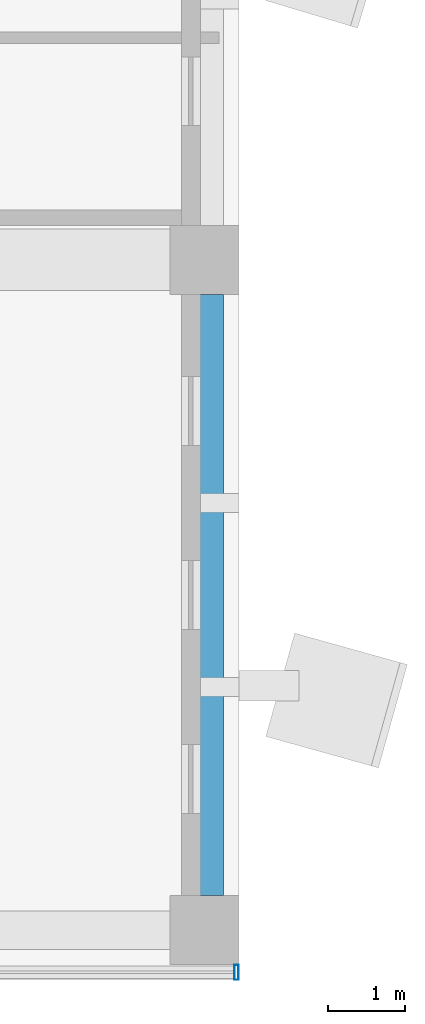
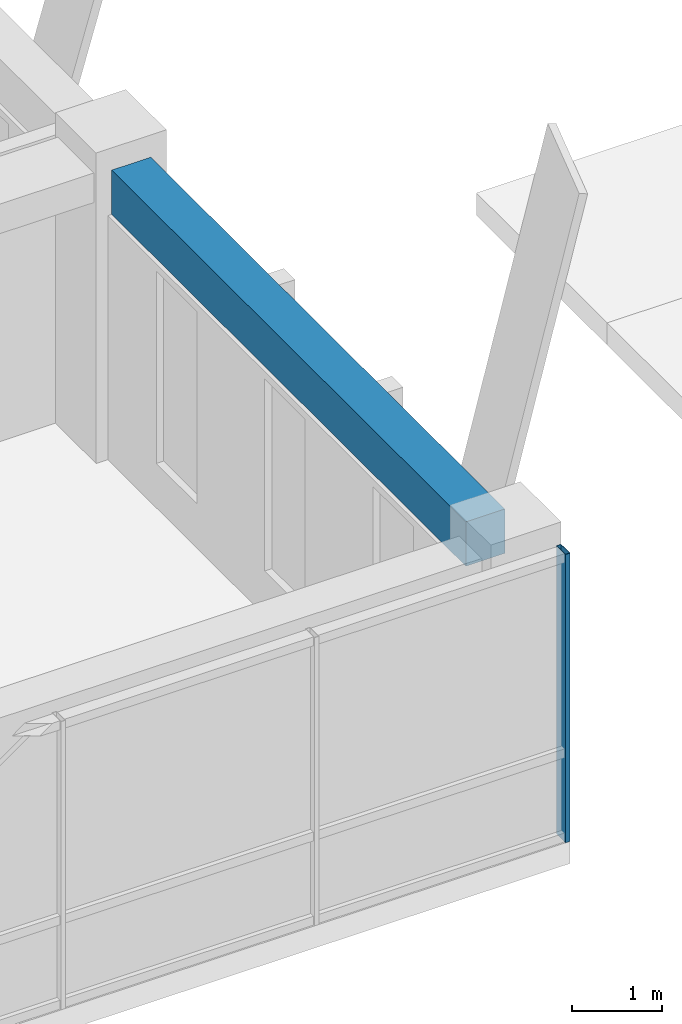
# One storey, part 14 of 36: 1 beam, 1 member, 1 element without a shape of its own.
"""IFC4 building model written with IfcOpenShell, lengths in metres."""

from ifc_helpers import new_model, si_unit, direction, frame, origin, origin_2d, place, context, subcontext, project, spatial, rectangle, hollow_rectangle, extrude, material, layer, layer_set, material_profile, profile_set, type_object, element, aggregate, save


model = new_model("IFC4")

# Units and contexts
model_context = context("Model", 3, precision=1e-05, world=origin(), true_north=direction((0.0, 1.0)))
body_context = subcontext(model_context, "Body", "Model", "MODEL_VIEW")
ifc_project = project(units=[si_unit("LENGTHUNIT", "METRE"), si_unit("AREAUNIT", "SQUARE_METRE"), si_unit("VOLUMEUNIT", "CUBIC_METRE"), si_unit("PLANEANGLEUNIT", "RADIAN"), si_unit("MASSUNIT", "GRAM", prefix="KILO")], contexts=[model_context])

# Site, building, storey
site_placement = place(None, origin())
site = spatial("IfcSite", under=ifc_project, at=site_placement, CompositionType="ELEMENT")
building_placement = place(site_placement, origin())
building = spatial("IfcBuilding", under=site, at=building_placement, Name="Nzadi Deep Aquarium and Research Tower", CompositionType="ELEMENT")
storey_placement = place(building_placement, frame((0.0, 0.0, 36.10009765625)))
storey = spatial("IfcBuildingStorey", under=building, at=storey_placement, Name="L06", CompositionType="ELEMENT", Elevation=36.10009765625)

# Curtain wall, member
ifc_material_1 = material(Name="Aluminium unitised frame", Category="aluminium")
ifc_layer = layer(ifc_material_1, 0.199951171875)
ifc_layer_set = layer_set([ifc_layer], Name="Aluminium unitised frame")
curtain_wall_type = type_object("IfcCurtainWallType", Name="Curtain wall Unitised 200", PredefinedType="NOTDEFINED", material=ifc_layer_set)
curtain_wall_placement = place(storey_placement, origin())
curtain_wall = element("IfcCurtainWall", 1, at=curtain_wall_placement, inside=storey, type_object=curtain_wall_type, Name="Unitised curtain wall blade A south L06", PredefinedType="NOTDEFINED")
ifc_material_2 = material(Name="Aluminium unitised frame", Category="aluminium")
ifc_material_profile_1 = material_profile(ifc_material_2, hollow_rectangle(XDim=0.199951171875, YDim=0.06005859375, WallThickness=0.0048828125, at=origin_2d()))
ifc_profile_set_1 = profile_set([ifc_material_profile_1], Name="Aluminium unitised frame")
member_type = type_object("IfcMemberType", Name="Mullion 60x200 Unitised", PredefinedType="MULLION", material=ifc_profile_set_1)
member_placement = place(storey_placement, frame((48.419921875, -0.10009765625, 0.0), z_axis=(0.0, 0.0, 1.0), x_axis=(0.0, 1.0, 0.0)))
member = element("IfcMember", 2, at=member_placement, type_object=member_type, Name="CW008 mullion 16", PredefinedType="MULLION", context=body_context, shape_type="SweptSolid", body=[
    extrude(hollow_rectangle(XDim=0.199951171875, YDim=0.06005859375, WallThickness=0.0048828125, at=origin_2d()), origin(), (0.0, 0.0, 1.0), 3.89990234375),
])
aggregate(curtain_wall, [member])

# Beam
ifc_material_3 = material(Name="Concrete C35/45", Category="concrete")
ifc_material_profile_2 = material_profile(ifc_material_3, rectangle(XDim=0.5, YDim=0.60009765625, at=origin_2d()))
ifc_profile_set_2 = profile_set([ifc_material_profile_2], Name="Concrete C35/45")
beam_type = type_object("IfcBeamType", Name="RC 500x600", PredefinedType="BEAM", material=ifc_profile_set_2)
beam_placement = place(storey_placement, frame((48.0, 0.89990234375, 3.599853515625), z_axis=(0.0, 1.0, 0.0), x_axis=(-1.0, 0.0, 0.0)))
element("IfcBeam", 3, at=beam_placement, inside=storey, type_object=beam_type, Name="B-Z1-L06-CF-1-1", PredefinedType="BEAM", context=body_context, shape_type="SweptSolid", body=[
    extrude(rectangle(XDim=0.5, YDim=0.60009765625, at=origin_2d()), origin(), (0.0, 0.0, 1.0), 7.85009765625),
])

save(model, "model.ifc")
